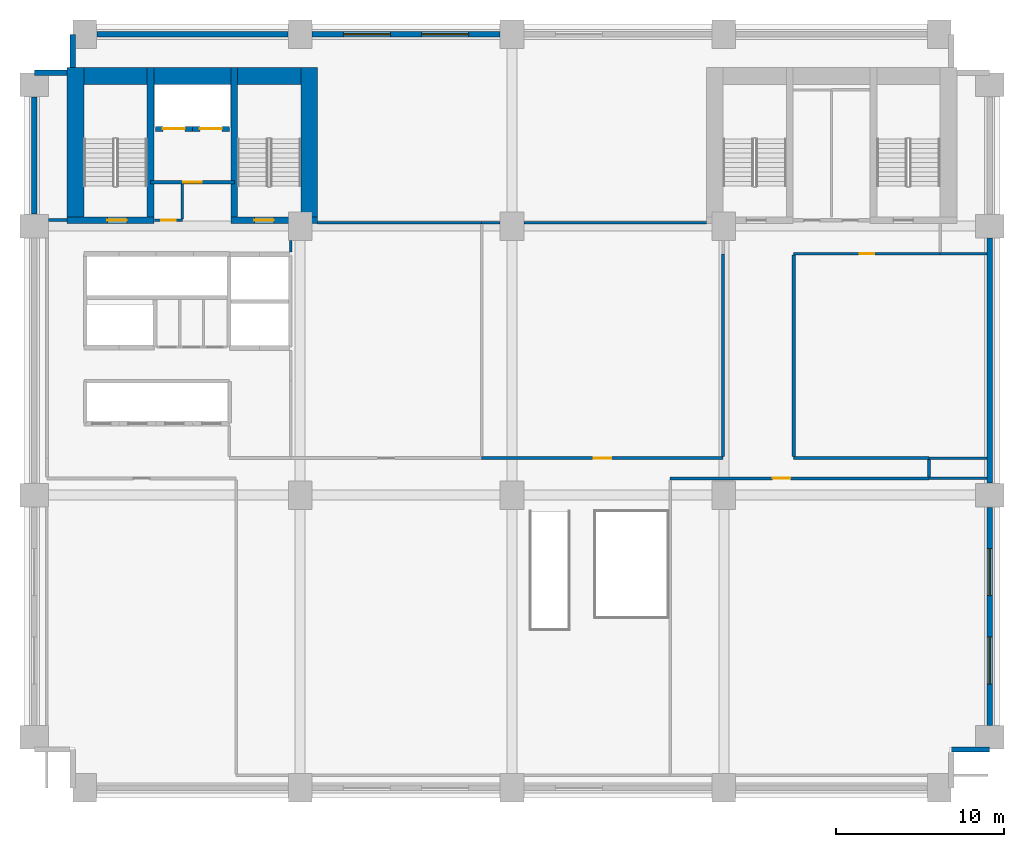
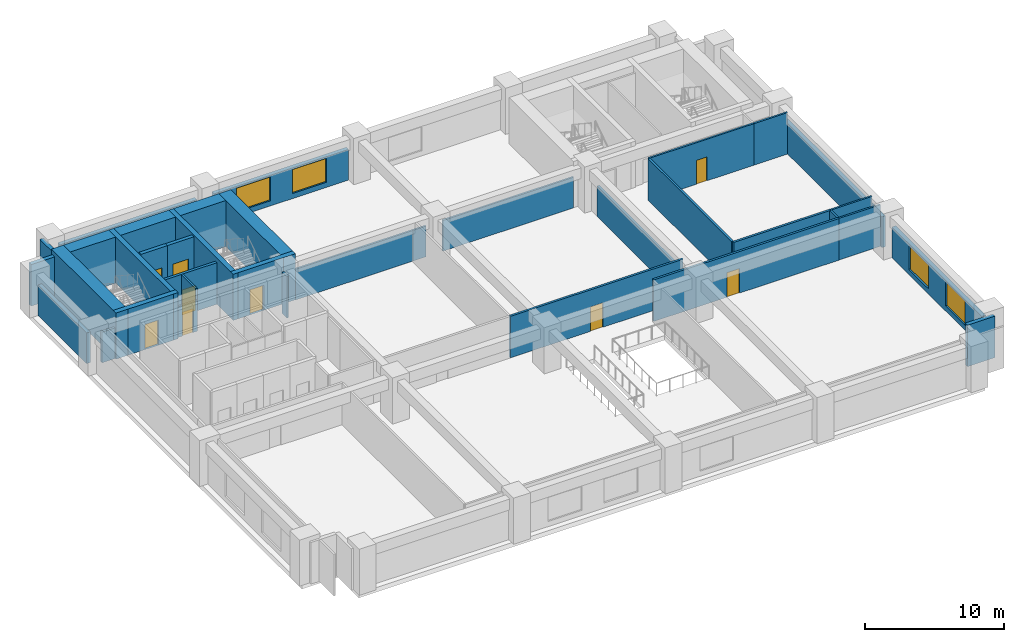
# One storey, part 3 of 7: 35 walls, 9 doors, 4 windows, 13 openings.
"""IFC4 building model written with IfcOpenShell, lengths in metres."""

from ifc_helpers import new_model, si_unit, direction, frame, frame_2d, origin, place, context, subcontext, project, spatial, rectangle, extrude, material, layer, layer_set, type_object, element, fill, save


model = new_model("IFC4")

# Units and contexts
model_context = context("Model", 3, precision=1e-05, world=origin(), true_north=direction((0.0, 1.0)))
body_context = subcontext(model_context, "Body", "Model", "MODEL_VIEW")
ifc_project = project(units=[si_unit("LENGTHUNIT", "METRE"), si_unit("AREAUNIT", "SQUARE_METRE"), si_unit("VOLUMEUNIT", "CUBIC_METRE"), si_unit("PLANEANGLEUNIT", "RADIAN"), si_unit("MASSUNIT", "GRAM", prefix="KILO")], contexts=[model_context])

# Site, building, storey
site_placement = place(None, origin())
site = spatial("IfcSite", under=ifc_project, at=site_placement, CompositionType="ELEMENT")
building_placement = place(site_placement, origin())
building = spatial("IfcBuilding", under=site, at=building_placement, Name="Sulina Concourse Tower", CompositionType="ELEMENT")
storey_placement = place(building_placement, frame((0.0, 0.0, 13.5)))
storey = spatial("IfcBuildingStorey", under=building, at=storey_placement, Name="L03", CompositionType="ELEMENT", Elevation=13.5)

# Wall, opening, door
ifc_material_1 = material(Name="Concrete C50/60", Category="concrete")
ifc_layer_1 = layer(ifc_material_1, 0.300048828125)
ifc_layer_set_1 = layer_set([ifc_layer_1], Name="Concrete C50/60")
wall_type_1 = type_object("IfcWallType", Name="Core Lift Hoistway Wall 300mm", PredefinedType="SOLIDWALL", material=ifc_layer_set_1)
wall_1_placement = place(storey_placement, frame((10.0, 39.780029296875, 0.0), z_axis=(0.0, 0.0, 1.0), x_axis=(-1.0, 0.0, 0.0)))
wall_1 = element("IfcWall", 1, at=wall_1_placement, inside=storey, type_object=wall_type_1, Name="L03 hoistway enclosure wall FFL-1", PredefinedType="SOLIDWALL", context=body_context, shape_type="SweptSolid", body=[
    extrude(rectangle(XDim=2.199951171875, YDim=0.300048828125, at=frame_2d((1.10009765625, 0.0))), origin(), (0.0, 0.0, 1.0), 4.050048828125),
])
opening_1_placement = place(wall_1_placement, frame((0.449951171875, 0.0, 0.0)))
opening_1 = element("IfcOpeningElement", 2, at=opening_1_placement, cuts=wall_1, Name="Opening LD-02", PredefinedType="OPENING", context=body_context, shape_type="SweptSolid", body=[
    extrude(rectangle(XDim=1.300048828125, YDim=2.25, at=frame_2d((0.64990234375, 1.125))), frame((0.0, 0.159912109375, 0.0), z_axis=(0.0, -1.0, 0.0), x_axis=(1.0, 0.0, 0.0)), (0.0, 0.0, 1.0), 0.320068359375),
])
ifc_material_2 = material(Name="Stainless steel lift landing door", Category="steel")
ifc_layer_2 = layer(ifc_material_2, 0.050048828125)
ifc_layer_set_2 = layer_set([ifc_layer_2], Name="Stainless steel lift landing door")
door_type_1 = type_object("IfcDoorType", Name="Firefighting Lift Sliding Landing Door 1300x2250", OperationType="SLIDING_TO_RIGHT", PredefinedType="DOOR", material=ifc_layer_set_2)
door_1_placement = place(opening_1_placement, origin())
door_1 = element("IfcDoor", 3, at=door_1_placement, inside=storey, type_object=door_type_1, Name="L03 lift landing sliding door FFL-1", OperationType="SLIDING_TO_LEFT", OverallHeight=2.25, OverallWidth=1.300048828125, PredefinedType="DOOR", context=body_context, shape_type="SweptSolid", body=[
    extrude(rectangle(XDim=1.300048828125, YDim=2.25, at=frame_2d((0.64990234375, 1.125))), frame((0.0, 0.02490234375, 0.0), z_axis=(0.0, -1.0, 0.0), x_axis=(1.0, 0.0, 0.0)), (0.0, 0.0, 1.0), 0.050048828125),
])
fill(opening_1, door_1)

wall_2_placement = place(storey_placement, frame((12.199951171875, 39.780029296875, 0.0), z_axis=(0.0, 0.0, 1.0), x_axis=(-1.0, 0.0, 0.0)))
wall_2 = element("IfcWall", 4, at=wall_2_placement, inside=storey, type_object=wall_type_1, Name="L03 hoistway enclosure wall FFL-2", PredefinedType="SOLIDWALL", context=body_context, shape_type="SweptSolid", body=[
    extrude(rectangle(XDim=2.199951171875, YDim=0.300048828125, at=frame_2d((1.10009765625, 0.0))), origin(), (0.0, 0.0, 1.0), 4.050048828125),
])
opening_2_placement = place(wall_2_placement, frame((0.449951171875, 0.0, 0.0)))
opening_2 = element("IfcOpeningElement", 5, at=opening_2_placement, cuts=wall_2, Name="Opening LD-02", PredefinedType="OPENING", context=body_context, shape_type="SweptSolid", body=[
    extrude(rectangle(XDim=1.300048828125, YDim=2.25, at=frame_2d((0.64990234375, 1.125))), frame((0.0, 0.159912109375, 0.0), z_axis=(0.0, -1.0, 0.0), x_axis=(1.0, 0.0, 0.0)), (0.0, 0.0, 1.0), 0.320068359375),
])
door_2_placement = place(opening_2_placement, origin())
door_2 = element("IfcDoor", 6, at=door_2_placement, inside=storey, type_object=door_type_1, Name="L03 lift landing sliding door FFL-2", OperationType="SLIDING_TO_RIGHT", OverallHeight=2.25, OverallWidth=1.300048828125, PredefinedType="DOOR", context=body_context, shape_type="SweptSolid", body=[
    extrude(rectangle(XDim=1.300048828125, YDim=2.25, at=frame_2d((0.64990234375, 1.125))), frame((0.0, 0.02490234375, 0.0), z_axis=(0.0, -1.0, 0.0), x_axis=(1.0, 0.0, 0.0)), (0.0, 0.0, 1.0), 0.050048828125),
])
fill(opening_2, door_2)

ifc_material_3 = material(Name="Gypsum board on steel stud", Category="steel")
ifc_layer_3 = layer(ifc_material_3, 0.219970703125)
ifc_layer_set_3 = layer_set([ifc_layer_3], Name="Gypsum board on steel stud")
wall_type_2 = type_object("IfcWallType", Name="Fire-Rated Lobby & Compartment Wall 220mm", PredefinedType="PARTITIONING", material=ifc_layer_set_3)
wall_3_placement = place(storey_placement, frame((7.510009765625, 36.60009765625, 0.0), z_axis=(0.0, 0.0, 1.0), x_axis=(1.0, 0.0, 0.0)))
wall_3 = element("IfcWall", 7, at=wall_3_placement, inside=storey, type_object=wall_type_2, Name="L03 firefighting lobby south fire wall", PredefinedType="PARTITIONING", context=body_context, shape_type="SweptSolid", body=[
    extrude(rectangle(XDim=4.97998046875, YDim=0.219970703125, at=frame_2d((2.489990234375, 0.0))), origin(), (0.0, 0.0, 1.0), 3.64990234375),
])
opening_3_placement = place(wall_3_placement, frame((1.93994140625, 0.0, 0.0)))
opening_3 = element("IfcOpeningElement", 8, at=opening_3_placement, cuts=wall_3, Name="Opening DR-47", PredefinedType="OPENING", context=body_context, shape_type="SweptSolid", body=[
    extrude(rectangle(XDim=1.10009765625, YDim=2.199951171875, at=frame_2d((0.550048828125, 1.10009765625))), frame((0.0, 0.119873046875, 0.0), z_axis=(0.0, -1.0, 0.0), x_axis=(1.0, 0.0, 0.0)), (0.0, 0.0, 1.0), 0.239990234375),
])
ifc_material_4 = material(Name="Galvanised steel acoustic fire leaf", Category="steel")
ifc_layer_4 = layer(ifc_material_4, 0.054931640625)
ifc_layer_set_4 = layer_set([ifc_layer_4], Name="Galvanised steel acoustic fire leaf")
door_type_2 = type_object("IfcDoorType", Name="Firefighting Lobby Fire Door 1100x2200", OperationType="NOTDEFINED", PredefinedType="DOOR", material=ifc_layer_set_4)
door_3_placement = place(opening_3_placement, origin())
door_3 = element("IfcDoor", 9, at=door_3_placement, inside=storey, type_object=door_type_2, Name="L03 firefighting lobby fire door", OperationType="SINGLE_SWING_RIGHT", OverallHeight=2.199951171875, OverallWidth=1.10009765625, PredefinedType="DOOR", context=body_context, shape_type="SweptSolid", body=[
    extrude(rectangle(XDim=1.10009765625, YDim=2.199951171875, at=frame_2d((0.550048828125, 1.10009765625))), frame((0.0, 0.02490234375, 0.0), z_axis=(0.0, -1.0, 0.0), x_axis=(1.0, 0.0, 0.0)), (0.0, 0.0, 1.0), 0.050048828125),
])
fill(opening_3, door_3)

# Walls
ifc_material_5 = material(Name="Gypsum board on steel stud", Category="steel")
ifc_layer_5 = layer(ifc_material_5, 0.14990234375)
ifc_layer_set_5 = layer_set([ifc_layer_5], Name="Gypsum board on steel stud")
wall_type_3 = type_object("IfcWallType", Name="Inter-Tenancy Acoustic Partition 150mm", PredefinedType="PARTITIONING", material=ifc_layer_set_5)
for number, where, z_axis, x_axis, name in (
    (10, (53.800048828125, 19.0, 0.0), (0.0, 0.0, 1.0), (1.0, 0.0, 0.0), "L03 interior partition 009"),
    (11, (53.800048828125, 20.199951171875, 0.0), (0.0, 0.0, 1.0), (1.0, 0.0, 0.0), "L03 interior partition 014"),
):
    element("IfcWall", number, at=place(storey_placement, frame(where, z_axis=z_axis, x_axis=x_axis)), inside=storey, type_object=wall_type_3, Name=name, PredefinedType="PARTITIONING", context=body_context, shape_type="SweptSolid", body=[
        extrude(rectangle(XDim=3.43994140625, YDim=0.14990234375, at=frame_2d((1.719970703125, 0.0))), origin(), (0.0, 0.0, 1.0), 3.64990234375),
    ])

# Wall, opening, door
wall_4_placement = place(storey_placement, frame((45.75, 32.35009765625, 0.0), z_axis=(0.0, 0.0, 1.0), x_axis=(1.0, 0.0, 0.0)))
wall_4 = element("IfcWall", 12, at=wall_4_placement, inside=storey, type_object=wall_type_3, Name="L03 interior partition 018", PredefinedType="PARTITIONING", context=body_context, shape_type="SweptSolid", body=[
    extrude(rectangle(XDim=8.699951171875, YDim=0.14990234375, at=frame_2d((4.35009765625, 0.0))), origin(), (0.0, 0.0, 1.0), 3.64990234375),
])
opening_4_placement = place(wall_4_placement, frame((3.909912109375, 0.0, 0.0)))
opening_4 = element("IfcOpeningElement", 13, at=opening_4_placement, cuts=wall_4, Name="Opening DR-38", PredefinedType="OPENING", context=body_context, shape_type="SweptSolid", body=[
    extrude(rectangle(XDim=0.8798828125, YDim=2.10009765625, at=frame_2d((0.43994140625, 1.050048828125))), frame((0.0, 0.0849609375, 0.0), z_axis=(0.0, -1.0, 0.0), x_axis=(1.0, 0.0, 0.0)), (0.0, 0.0, 1.0), 0.169921875),
])
ifc_material_6 = material(Name="Galvanised steel acoustic fire leaf", Category="steel")
ifc_layer_6 = layer(ifc_material_6, 0.050048828125)
ifc_layer_set_6 = layer_set([ifc_layer_6], Name="Galvanised steel acoustic fire leaf")
door_type_3 = type_object("IfcDoorType", Name="Service Riser Fire Door 880x2100", OperationType="NOTDEFINED", PredefinedType="DOOR", material=ifc_layer_set_6)
door_4_placement = place(opening_4_placement, origin())
door_4 = element("IfcDoor", 14, at=door_4_placement, inside=storey, type_object=door_type_3, Name="L03 interior door L03-STR-ST", OperationType="SINGLE_SWING_RIGHT", OverallHeight=2.10009765625, OverallWidth=0.8798828125, PredefinedType="DOOR", context=body_context, shape_type="SweptSolid", body=[
    extrude(rectangle(XDim=0.8798828125, YDim=2.10009765625, at=frame_2d((0.43994140625, 1.050048828125))), frame((0.0, 0.02490234375, 0.0), z_axis=(0.0, -1.0, 0.0), x_axis=(1.0, 0.0, 0.0)), (0.0, 0.0, 1.0), 0.050048828125),
])
fill(opening_4, door_4)

# Walls
wall_5_placement = place(storey_placement, frame((54.449951171875, 32.35009765625, 0.0), z_axis=(0.0, 0.0, 1.0), x_axis=(1.0, 0.0, 0.0)))
element("IfcWall", 15, at=wall_5_placement, inside=storey, type_object=wall_type_3, Name="L03 interior partition 019", PredefinedType="PARTITIONING", context=body_context, shape_type="SweptSolid", body=[
    extrude(rectangle(XDim=2.7900390625, YDim=0.14990234375, at=frame_2d((1.39501953125, 0.0))), origin(), (0.0, 0.0, 1.0), 3.64990234375),
])
wall_6_placement = place(storey_placement, frame((17.449951171875, 34.199951171875, 0.0), z_axis=(0.0, 0.0, 1.0), x_axis=(1.0, 0.0, 0.0)))
element("IfcWall", 16, at=wall_6_placement, inside=storey, type_object=wall_type_3, Name="L03 interior partition 020", PredefinedType="PARTITIONING", context=body_context, shape_type="SweptSolid", body=[
    extrude(rectangle(XDim=9.75, YDim=0.14990234375, at=frame_2d((4.875, 0.0))), origin(), (0.0, 0.0, 1.0), 2.695068359375),
])
wall_7_placement = place(storey_placement, frame((27.199951171875, 34.199951171875, 0.0), z_axis=(0.0, 0.0, 1.0), x_axis=(1.0, 0.0, 0.0)))
element("IfcWall", 17, at=wall_7_placement, inside=storey, type_object=wall_type_3, Name="L03 interior partition 021", PredefinedType="PARTITIONING", context=body_context, shape_type="SweptSolid", body=[
    extrude(rectangle(XDim=1.10009765625, YDim=0.14990234375, at=frame_2d((0.550048828125, 0.0))), origin(), (0.0, 0.0, 1.0), 2.695068359375),
])
wall_8_placement = place(storey_placement, frame((29.699951171875, 34.199951171875, 0.0), z_axis=(0.0, 0.0, 1.0), x_axis=(1.0, 0.0, 0.0)))
element("IfcWall", 18, at=wall_8_placement, inside=storey, type_object=wall_type_3, Name="L03 interior partition 022", PredefinedType="PARTITIONING", context=body_context, shape_type="SweptSolid", body=[
    extrude(rectangle(XDim=10.85009765625, YDim=0.14990234375, at=frame_2d((5.425048828125, 0.0))), origin(), (0.0, 0.0, 1.0), 2.695068359375),
])

# Wall, opening, door
wall_9_placement = place(storey_placement, frame((7.75, 34.35009765625, 0.0), z_axis=(0.0, 0.0, 1.0), x_axis=(1.0, 0.0, 0.0)))
wall_9 = element("IfcWall", 19, at=wall_9_placement, inside=storey, type_object=wall_type_3, Name="L03 interior partition 024", PredefinedType="PARTITIONING", context=body_context, shape_type="SweptSolid", body=[
    extrude(rectangle(XDim=1.64990234375, YDim=0.14990234375, at=frame_2d((0.824951171875, 0.0))), origin(), (0.0, 0.0, 1.0), 2.695068359375),
])
opening_5_placement = place(wall_9_placement, frame((0.385009765625, 0.0, 0.0)))
opening_5 = element("IfcOpeningElement", 20, at=opening_5_placement, cuts=wall_9, Name="Opening DR-38", PredefinedType="OPENING", context=body_context, shape_type="SweptSolid", body=[
    extrude(rectangle(XDim=0.8798828125, YDim=2.10009765625, at=frame_2d((0.43994140625, 1.050048828125))), frame((0.0, 0.0849609375, 0.0), z_axis=(0.0, -1.0, 0.0), x_axis=(1.0, 0.0, 0.0)), (0.0, 0.0, 1.0), 0.169921875),
])
door_5_placement = place(opening_5_placement, origin())
door_5 = element("IfcDoor", 21, at=door_5_placement, inside=storey, type_object=door_type_3, Name="L03 interior door L03-CLN-N", OperationType="SINGLE_SWING_LEFT", OverallHeight=2.10009765625, OverallWidth=0.8798828125, PredefinedType="DOOR", context=body_context, shape_type="SweptSolid", body=[
    extrude(rectangle(XDim=0.8798828125, YDim=2.10009765625, at=frame_2d((0.43994140625, 1.050048828125))), frame((0.0, 0.02490234375, 0.0), z_axis=(0.0, -1.0, 0.0), x_axis=(1.0, 0.0, 0.0)), (0.0, 0.0, 1.0), 0.050048828125),
])
fill(opening_5, door_5)

# Walls
wall_10_placement = place(storey_placement, frame((9.39990234375, 34.425048828125, 0.0), z_axis=(0.0, 0.0, 1.0), x_axis=(0.0, 1.0, 0.0)))
element("IfcWall", 22, at=wall_10_placement, inside=storey, type_object=wall_type_3, Name="L03 interior partition 032", PredefinedType="PARTITIONING", context=body_context, shape_type="SweptSolid", body=[
    extrude(rectangle(XDim=2.06494140625, YDim=0.14990234375, at=frame_2d((1.032470703125, 0.0))), origin(), (0.0, 0.0, 1.0), 3.64990234375),
])
wall_11_placement = place(storey_placement, frame((15.85009765625, 32.469970703125, 0.0), z_axis=(0.0, 0.0, 1.0), x_axis=(0.0, 1.0, 0.0)))
element("IfcWall", 23, at=wall_11_placement, inside=storey, type_object=wall_type_3, Name="L03 interior partition 038", PredefinedType="PARTITIONING", context=body_context, shape_type="SweptSolid", body=[
    extrude(rectangle(XDim=0.679931640625, YDim=0.14990234375, at=frame_2d((0.33984375, 0.0))), origin(), (0.0, 0.0, 1.0), 3.64990234375),
])
ifc_material_7 = material(Name="Precast concrete C50/60", Category="concrete")
ifc_layer_7 = layer(ifc_material_7, 0.320068359375)
ifc_layer_set_7 = layer_set([ifc_layer_7], Name="Precast concrete C50/60")
wall_type_4 = type_object("IfcWallType", Name="Lower Precast Masonry-Frame Facade Wall 320mm", PredefinedType="SOLIDWALL", material=ifc_layer_set_7)
wall_12_placement = place(storey_placement, frame((0.60009765625, 34.719970703125, 0.0), z_axis=(0.0, 0.0, 1.0), x_axis=(0.0, 1.0, 0.0)))
element("IfcWall", 24, at=wall_12_placement, inside=storey, type_object=wall_type_4, Name="L03 exterior precast wall W3", PredefinedType="SOLIDWALL", context=body_context, shape_type="SweptSolid", body=[
    extrude(rectangle(XDim=6.9599609375, YDim=0.320068359375, at=frame_2d((3.47998046875, 0.0))), origin(), (0.0, 0.0, 1.0), 2.699951171875),
])
wall_13_placement = place(storey_placement, frame((4.320068359375, 45.39990234375, 0.0), z_axis=(0.0, 0.0, 1.0), x_axis=(1.0, 0.0, 0.0)))
element("IfcWall", 25, at=wall_13_placement, inside=storey, type_object=wall_type_4, Name="L03 exterior precast wall N1", PredefinedType="SOLIDWALL", context=body_context, shape_type="SweptSolid", body=[
    extrude(rectangle(XDim=11.35986328125, YDim=0.320068359375, at=frame_2d((5.679931640625, 0.0))), origin(), (0.0, 0.0, 1.0), 2.699951171875),
])

# Wall, openings, windows
wall_14_placement = place(storey_placement, frame((17.1201171875, 45.39990234375, 0.0), z_axis=(0.0, 0.0, 1.0), x_axis=(1.0, 0.0, 0.0)))
wall_14 = element("IfcWall", 26, at=wall_14_placement, inside=storey, type_object=wall_type_4, Name="L03 exterior precast wall N2", PredefinedType="SOLIDWALL", context=body_context, shape_type="SweptSolid", body=[
    extrude(rectangle(XDim=11.159912109375, YDim=0.320068359375, at=frame_2d((5.580078125, 0.0))), origin(), (0.0, 0.0, 1.0), 2.699951171875),
])
opening_6_placement = place(wall_14_placement, frame((1.853271484375, 0.0, 0.449951171875)))
opening_6 = element("IfcOpeningElement", 27, at=opening_6_placement, cuts=wall_14, Name="Opening WN-83", PredefinedType="OPENING", context=body_context, shape_type="SweptSolid", body=[
    extrude(rectangle(XDim=2.800048828125, YDim=2.10009765625, at=frame_2d((1.39990234375, 1.050048828125))), frame((0.0, 0.169921875, 0.0), z_axis=(0.0, -1.0, 0.0), x_axis=(1.0, 0.0, 0.0)), (0.0, 0.0, 1.0), 0.340087890625),
])
opening_7_placement = place(wall_14_placement, frame((6.506591796875, 0.0, 0.449951171875)))
opening_7 = element("IfcOpeningElement", 28, at=opening_7_placement, cuts=wall_14, Name="Opening WN-83", PredefinedType="OPENING", context=body_context, shape_type="SweptSolid", body=[
    extrude(rectangle(XDim=2.800048828125, YDim=2.10009765625, at=frame_2d((1.39990234375, 1.050048828125))), frame((0.0, 0.169921875, 0.0), z_axis=(0.0, -1.0, 0.0), x_axis=(1.0, 0.0, 0.0)), (0.0, 0.0, 1.0), 0.340087890625),
])
ifc_material_8 = material(Name="Low-E solar double glazing in bronze aluminium", Category="aluminium")
window_type = type_object("IfcWindowType", Name="Station Podium Clerestory Window 2800x2100", PartitioningType="TRIPLE_PANEL_VERTICAL", PredefinedType="WINDOW", material=ifc_material_8)
window_1_placement = place(opening_6_placement, origin())
window_1 = element("IfcWindow", 29, at=window_1_placement, inside=storey, type_object=window_type, Name="L03 punched window N2-1", OverallHeight=2.10009765625, OverallWidth=2.800048828125, PartitioningType="SINGLE_PANEL", PredefinedType="WINDOW", context=body_context, shape_type="SweptSolid", body=[
    extrude(rectangle(XDim=2.800048828125, YDim=2.10009765625, at=frame_2d((1.39990234375, 1.050048828125))), frame((0.0, 0.030029296875, 0.0), z_axis=(0.0, -1.0, 0.0), x_axis=(1.0, 0.0, 0.0)), (0.0, 0.0, 1.0), 0.06005859375),
])
fill(opening_6, window_1)
window_2_placement = place(opening_7_placement, origin())
window_2 = element("IfcWindow", 30, at=window_2_placement, inside=storey, type_object=window_type, Name="L03 punched window N2-2", OverallHeight=2.10009765625, OverallWidth=2.800048828125, PartitioningType="SINGLE_PANEL", PredefinedType="WINDOW", context=body_context, shape_type="SweptSolid", body=[
    extrude(rectangle(XDim=2.800048828125, YDim=2.10009765625, at=frame_2d((1.39990234375, 1.050048828125))), frame((0.0, 0.030029296875, 0.0), z_axis=(0.0, -1.0, 0.0), x_axis=(1.0, 0.0, 0.0)), (0.0, 0.0, 1.0), 0.06005859375),
])
fill(opening_7, window_2)

wall_15_placement = place(storey_placement, frame((57.39990234375, 17.280029296875, 0.0), z_axis=(0.0, 0.0, 1.0), x_axis=(0.0, -1.0, 0.0)))
wall_15 = element("IfcWall", 31, at=wall_15_placement, inside=storey, type_object=wall_type_4, Name="L03 exterior precast wall E1", PredefinedType="SOLIDWALL", context=body_context, shape_type="SweptSolid", body=[
    extrude(rectangle(XDim=12.9599609375, YDim=0.320068359375, at=frame_2d((6.47998046875, 0.0))), origin(), (0.0, 0.0, 1.0), 2.699951171875),
])
opening_8_placement = place(wall_15_placement, frame((2.453369140625, 0.0, 0.449951171875)))
opening_8 = element("IfcOpeningElement", 32, at=opening_8_placement, cuts=wall_15, Name="Opening WN-83", PredefinedType="OPENING", context=body_context, shape_type="SweptSolid", body=[
    extrude(rectangle(XDim=2.800048828125, YDim=2.10009765625, at=frame_2d((1.39990234375, 1.050048828125))), frame((0.0, 0.169921875, 0.0), z_axis=(0.0, -1.0, 0.0), x_axis=(1.0, 0.0, 0.0)), (0.0, 0.0, 1.0), 0.340087890625),
])
opening_9_placement = place(wall_15_placement, frame((7.706787109375, 0.0, 0.449951171875)))
opening_9 = element("IfcOpeningElement", 33, at=opening_9_placement, cuts=wall_15, Name="Opening WN-83", PredefinedType="OPENING", context=body_context, shape_type="SweptSolid", body=[
    extrude(rectangle(XDim=2.800048828125, YDim=2.10009765625, at=frame_2d((1.39990234375, 1.050048828125))), frame((0.0, 0.169921875, 0.0), z_axis=(0.0, -1.0, 0.0), x_axis=(1.0, 0.0, 0.0)), (0.0, 0.0, 1.0), 0.340087890625),
])
window_3_placement = place(opening_8_placement, origin())
window_3 = element("IfcWindow", 34, at=window_3_placement, inside=storey, type_object=window_type, Name="L03 punched window E1-1", OverallHeight=2.10009765625, OverallWidth=2.800048828125, PartitioningType="SINGLE_PANEL", PredefinedType="WINDOW", context=body_context, shape_type="SweptSolid", body=[
    extrude(rectangle(XDim=2.800048828125, YDim=2.10009765625, at=frame_2d((1.39990234375, 1.050048828125))), frame((0.0, 0.030029296875, 0.0), z_axis=(0.0, -1.0, 0.0), x_axis=(1.0, 0.0, 0.0)), (0.0, 0.0, 1.0), 0.06005859375),
])
fill(opening_8, window_3)
window_4_placement = place(opening_9_placement, origin())
window_4 = element("IfcWindow", 35, at=window_4_placement, inside=storey, type_object=window_type, Name="L03 punched window E1-2", OverallHeight=2.10009765625, OverallWidth=2.800048828125, PartitioningType="SINGLE_PANEL", PredefinedType="WINDOW", context=body_context, shape_type="SweptSolid", body=[
    extrude(rectangle(XDim=2.800048828125, YDim=2.10009765625, at=frame_2d((1.39990234375, 1.050048828125))), frame((0.0, 0.030029296875, 0.0), z_axis=(0.0, -1.0, 0.0), x_axis=(1.0, 0.0, 0.0)), (0.0, 0.0, 1.0), 0.06005859375),
])
fill(opening_9, window_4)

# Walls
wall_16_placement = place(storey_placement, frame((57.39990234375, 33.280029296875, 0.0), z_axis=(0.0, 0.0, 1.0), x_axis=(0.0, -1.0, 0.0)))
element("IfcWall", 36, at=wall_16_placement, inside=storey, type_object=wall_type_4, Name="L03 exterior precast wall E2", PredefinedType="SOLIDWALL", context=body_context, shape_type="SweptSolid", body=[
    extrude(rectangle(XDim=14.56005859375, YDim=0.320068359375, at=frame_2d((7.280029296875, 0.0))), origin(), (0.0, 0.0, 1.0), 2.699951171875),
])
wall_17_placement = place(storey_placement, frame((0.60009765625, 43.1201171875, 0.0), z_axis=(0.0, 0.0, 1.0), x_axis=(1.0, 0.0, 0.0)))
element("IfcWall", 37, at=wall_17_placement, inside=storey, type_object=wall_type_4, Name="L03 exterior precast wall CNW1", PredefinedType="SOLIDWALL", context=body_context, shape_type="SweptSolid", body=[
    extrude(rectangle(XDim=1.94482421875, YDim=0.320068359375, at=frame_2d((0.972412109375, 0.0))), origin(), (0.0, 0.0, 1.0), 3.64990234375),
])
wall_18_placement = place(storey_placement, frame((2.8798828125, 43.43505859375, 0.0), z_axis=(0.0, 0.0, 1.0), x_axis=(0.0, 1.0, 0.0)))
element("IfcWall", 38, at=wall_18_placement, inside=storey, type_object=wall_type_4, Name="L03 exterior precast wall CNW2", PredefinedType="SOLIDWALL", context=body_context, shape_type="SweptSolid", body=[
    extrude(rectangle(XDim=1.96484375, YDim=0.320068359375, at=frame_2d((0.982421875, 0.0))), origin(), (0.0, 0.0, 1.0), 3.64990234375),
])
wall_19_placement = place(storey_placement, frame((57.39990234375, 2.8798828125, 0.0), z_axis=(0.0, 0.0, 1.0), x_axis=(-1.0, 0.0, 0.0)))
element("IfcWall", 39, at=wall_19_placement, inside=storey, type_object=wall_type_4, Name="L03 exterior precast wall CSE1", PredefinedType="SOLIDWALL", context=body_context, shape_type="SweptSolid", body=[
    extrude(rectangle(XDim=2.27978515625, YDim=0.320068359375, at=frame_2d((1.139892578125, 0.0))), origin(), (0.0, 0.0, 1.0), 3.64990234375),
])

# Wall, opening, door
ifc_material_9 = material(Name="Gypsum board on steel stud", Category="steel")
ifc_layer_8 = layer(ifc_material_9, 0.179931640625)
ifc_layer_set_8 = layer_set([ifc_layer_8], Name="Gypsum board on steel stud")
wall_type_5 = type_object("IfcWallType", Name="Protected Corridor & Riser Partition 180mm", PredefinedType="PARTITIONING", material=ifc_layer_set_8)
wall_20_placement = place(storey_placement, frame((38.39990234375, 19.0, 0.0), z_axis=(0.0, 0.0, 1.0), x_axis=(1.0, 0.0, 0.0)))
wall_20 = element("IfcWall", 40, at=wall_20_placement, inside=storey, type_object=wall_type_5, Name="L03 interior partition 008", PredefinedType="PARTITIONING", context=body_context, shape_type="SweptSolid", body=[
    extrude(rectangle(XDim=15.400146484375, YDim=0.179931640625, at=frame_2d((7.7001953125, 0.0))), origin(), (0.0, 0.0, 1.0), 3.64990234375),
])
opening_10_placement = place(wall_20_placement, frame((6.094970703125, 0.0, 0.0)))
opening_10 = element("IfcOpeningElement", 41, at=opening_10_placement, cuts=wall_20, Name="Opening DR-37", PredefinedType="OPENING", context=body_context, shape_type="SweptSolid", body=[
    extrude(rectangle(XDim=1.050048828125, YDim=2.14990234375, at=frame_2d((0.52490234375, 1.074951171875))), frame((0.0, 0.099853515625, 0.0), z_axis=(0.0, -1.0, 0.0), x_axis=(1.0, 0.0, 0.0)), (0.0, 0.0, 1.0), 0.199951171875),
])
ifc_material_10 = material(Name="Oak-veneered fire door leaf")
ifc_layer_9 = layer(ifc_material_10, 0.050048828125)
ifc_layer_set_9 = layer_set([ifc_layer_9], Name="Oak-veneered fire door leaf")
door_type_4 = type_object("IfcDoorType", Name="Tenant Suite Entrance Fire Door 1050x2150", OperationType="NOTDEFINED", PredefinedType="DOOR", material=ifc_layer_set_9)
door_6_placement = place(opening_10_placement, origin())
door_6 = element("IfcDoor", 42, at=door_6_placement, inside=storey, type_object=door_type_4, Name="L03 interior door L03-DIN-E1", OperationType="SINGLE_SWING_LEFT", OverallHeight=2.14990234375, OverallWidth=1.050048828125, PredefinedType="DOOR", context=body_context, shape_type="SweptSolid", body=[
    extrude(rectangle(XDim=1.050048828125, YDim=2.14990234375, at=frame_2d((0.52490234375, 1.074951171875))), frame((0.0, 0.02490234375, 0.0), z_axis=(0.0, -1.0, 0.0), x_axis=(1.0, 0.0, 0.0)), (0.0, 0.0, 1.0), 0.050048828125),
])
fill(opening_10, door_6)

wall_21_placement = place(storey_placement, frame((27.199951171875, 20.199951171875, 0.0), z_axis=(0.0, 0.0, 1.0), x_axis=(1.0, 0.0, 0.0)))
wall_21 = element("IfcWall", 43, at=wall_21_placement, inside=storey, type_object=wall_type_5, Name="L03 interior partition 012", PredefinedType="PARTITIONING", context=body_context, shape_type="SweptSolid", body=[
    extrude(rectangle(XDim=14.35009765625, YDim=0.179931640625, at=frame_2d((7.175048828125, 0.0))), origin(), (0.0, 0.0, 1.0), 3.64990234375),
])
opening_11_placement = place(wall_21_placement, frame((6.64990234375, 0.0, 0.0)))
opening_11 = element("IfcOpeningElement", 44, at=opening_11_placement, cuts=wall_21, Name="Opening DR-37", PredefinedType="OPENING", context=body_context, shape_type="SweptSolid", body=[
    extrude(rectangle(XDim=1.050048828125, YDim=2.14990234375, at=frame_2d((0.52490234375, 1.074951171875))), frame((0.0, 0.099853515625, 0.0), z_axis=(0.0, -1.0, 0.0), x_axis=(1.0, 0.0, 0.0)), (0.0, 0.0, 1.0), 0.199951171875),
])
door_7_placement = place(opening_11_placement, origin())
door_7 = element("IfcDoor", 45, at=door_7_placement, inside=storey, type_object=door_type_4, Name="L03 interior door L03-MTG-ST2", OperationType="SINGLE_SWING_LEFT", OverallHeight=2.14990234375, OverallWidth=1.050048828125, PredefinedType="DOOR", context=body_context, shape_type="SweptSolid", body=[
    extrude(rectangle(XDim=1.050048828125, YDim=2.14990234375, at=frame_2d((0.52490234375, 1.074951171875))), frame((0.0, 0.02490234375, 0.0), z_axis=(0.0, -1.0, 0.0), x_axis=(1.0, 0.0, 0.0)), (0.0, 0.0, 1.0), 0.050048828125),
])
fill(opening_11, door_7)

# Walls
wall_22_placement = place(storey_placement, frame((45.75, 20.199951171875, 0.0), z_axis=(0.0, 0.0, 1.0), x_axis=(1.0, 0.0, 0.0)))
element("IfcWall", 46, at=wall_22_placement, inside=storey, type_object=wall_type_5, Name="L03 interior partition 013", PredefinedType="PARTITIONING", context=body_context, shape_type="SweptSolid", body=[
    extrude(rectangle(XDim=8.050048828125, YDim=0.179931640625, at=frame_2d((4.02490234375, 0.0))), origin(), (0.0, 0.0, 1.0), 3.64990234375),
])
wall_23_placement = place(storey_placement, frame((1.449951171875, 34.35009765625, 0.0), z_axis=(0.0, 0.0, 1.0), x_axis=(1.0, 0.0, 0.0)))
element("IfcWall", 47, at=wall_23_placement, inside=storey, type_object=wall_type_5, Name="L03 interior partition 023", PredefinedType="PARTITIONING", context=body_context, shape_type="SweptSolid", body=[
    extrude(rectangle(XDim=1.10009765625, YDim=0.179931640625, at=frame_2d((0.550048828125, 0.0))), origin(), (0.0, 0.0, 1.0), 2.695068359375),
])
wall_24_placement = place(storey_placement, frame((41.550048828125, 20.2900390625, 0.0), z_axis=(0.0, 0.0, 1.0), x_axis=(0.0, 1.0, 0.0)))
element("IfcWall", 48, at=wall_24_placement, inside=storey, type_object=wall_type_5, Name="L03 interior partition 041", PredefinedType="PARTITIONING", context=body_context, shape_type="SweptSolid", body=[
    extrude(rectangle(XDim=12.06005859375, YDim=0.179931640625, at=frame_2d((6.030029296875, 0.0))), origin(), (0.0, 0.0, 1.0), 2.695068359375),
])
wall_25_placement = place(storey_placement, frame((45.75, 20.2900390625, 0.0), z_axis=(0.0, 0.0, 1.0), x_axis=(0.0, 1.0, 0.0)))
element("IfcWall", 49, at=wall_25_placement, inside=storey, type_object=wall_type_5, Name="L03 interior partition 043", PredefinedType="PARTITIONING", context=body_context, shape_type="SweptSolid", body=[
    extrude(rectangle(XDim=11.98486328125, YDim=0.179931640625, at=frame_2d((5.992431640625, 0.0))), origin(), (0.0, 0.0, 1.0), 3.64990234375),
])
wall_26_placement = place(storey_placement, frame((53.800048828125, 19.090087890625, 0.0), z_axis=(0.0, 0.0, 1.0), x_axis=(0.0, 1.0, 0.0)))
element("IfcWall", 50, at=wall_26_placement, inside=storey, type_object=wall_type_5, Name="L03 interior partition 045", PredefinedType="PARTITIONING", context=body_context, shape_type="SweptSolid", body=[
    extrude(rectangle(XDim=1.02001953125, YDim=0.179931640625, at=frame_2d((0.510009765625, 0.0))), origin(), (0.0, 0.0, 1.0), 3.64990234375),
])

# Wall, opening, door
ifc_material_11 = material(Name="Concrete C60/75", Category="concrete")
ifc_layer_10 = layer(ifc_material_11, 0.39990234375)
ifc_layer_set_10 = layer_set([ifc_layer_10], Name="Concrete C60/75")
wall_type_6 = type_object("IfcWallType", Name="Protected Stair Core Shear Wall 400mm", PredefinedType="SHEAR", material=ifc_layer_set_10)
wall_27_placement = place(storey_placement, frame((2.550048828125, 34.35009765625, 0.0), z_axis=(0.0, 0.0, 1.0), x_axis=(1.0, 0.0, 0.0)))
wall_27 = element("IfcWall", 51, at=wall_27_placement, inside=storey, type_object=wall_type_6, Name="L03 west core shear wall CW-WS1", PredefinedType="SHEAR", context=body_context, shape_type="SweptSolid", body=[
    extrude(rectangle(XDim=5.159912109375, YDim=0.39990234375, at=frame_2d((2.580078125, 0.0))), origin(), (0.0, 0.0, 1.0), 4.050048828125),
])
opening_12_placement = place(wall_27_placement, frame((2.39990234375, 0.0, 0.0)))
opening_12 = element("IfcOpeningElement", 52, at=opening_12_placement, cuts=wall_27, Name="Opening DR-60", PredefinedType="OPENING", context=body_context, shape_type="SweptSolid", body=[
    extrude(rectangle(XDim=1.14990234375, YDim=2.199951171875, at=frame_2d((0.574951171875, 1.10009765625))), frame((0.0, 0.2099609375, 0.0), z_axis=(0.0, -1.0, 0.0), x_axis=(1.0, 0.0, 0.0)), (0.0, 0.0, 1.0), 0.419921875),
])
ifc_material_12 = material(Name="Galvanised steel acoustic fire leaf", Category="steel")
ifc_layer_11 = layer(ifc_material_12, 0.054931640625)
ifc_layer_set_11 = layer_set([ifc_layer_11], Name="Galvanised steel acoustic fire leaf")
door_type_5 = type_object("IfcDoorType", Name="Protected Exit Stair Fire Door 1150x2200", OperationType="NOTDEFINED", PredefinedType="DOOR", material=ifc_layer_set_11)
door_8_placement = place(opening_12_placement, origin())
door_8 = element("IfcDoor", 53, at=door_8_placement, inside=storey, type_object=door_type_5, Name="L03 stair ST-1 lobby fire door", OperationType="SINGLE_SWING_RIGHT", OverallHeight=2.199951171875, OverallWidth=1.14990234375, PredefinedType="DOOR", context=body_context, shape_type="SweptSolid", body=[
    extrude(rectangle(XDim=1.14990234375, YDim=2.199951171875, at=frame_2d((0.574951171875, 1.10009765625))), frame((0.0, 0.02490234375, 0.0), z_axis=(0.0, -1.0, 0.0), x_axis=(1.0, 0.0, 0.0)), (0.0, 0.0, 1.0), 0.050048828125),
])
fill(opening_12, door_8)

wall_28_placement = place(storey_placement, frame((12.2900390625, 34.35009765625, 0.0), z_axis=(0.0, 0.0, 1.0), x_axis=(1.0, 0.0, 0.0)))
wall_28 = element("IfcWall", 54, at=wall_28_placement, inside=storey, type_object=wall_type_6, Name="L03 west core shear wall CW-WS2", PredefinedType="SHEAR", context=body_context, shape_type="SweptSolid", body=[
    extrude(rectangle(XDim=5.159912109375, YDim=0.39990234375, at=frame_2d((2.580078125, 0.0))), origin(), (0.0, 0.0, 1.0), 4.050048828125),
])
opening_13_placement = place(wall_28_placement, frame((1.39990234375, 0.0, 0.0)))
opening_13 = element("IfcOpeningElement", 55, at=opening_13_placement, cuts=wall_28, Name="Opening DR-60", PredefinedType="OPENING", context=body_context, shape_type="SweptSolid", body=[
    extrude(rectangle(XDim=1.14990234375, YDim=2.199951171875, at=frame_2d((0.574951171875, 1.10009765625))), frame((0.0, 0.2099609375, 0.0), z_axis=(0.0, -1.0, 0.0), x_axis=(1.0, 0.0, 0.0)), (0.0, 0.0, 1.0), 0.419921875),
])
door_9_placement = place(opening_13_placement, origin())
door_9 = element("IfcDoor", 56, at=door_9_placement, inside=storey, type_object=door_type_5, Name="L03 stair ST-2 lobby fire door", OperationType="SINGLE_SWING_LEFT", OverallHeight=2.199951171875, OverallWidth=1.14990234375, PredefinedType="DOOR", context=body_context, shape_type="SweptSolid", body=[
    extrude(rectangle(XDim=1.14990234375, YDim=2.199951171875, at=frame_2d((0.574951171875, 1.10009765625))), frame((0.0, 0.02490234375, 0.0), z_axis=(0.0, -1.0, 0.0), x_axis=(1.0, 0.0, 0.0)), (0.0, 0.0, 1.0), 0.050048828125),
])
fill(opening_13, door_9)

# Walls
for number, where, z_axis, x_axis, name in (
    (57, (7.510009765625, 34.14990234375, 0.0), (0.0, 0.0, 1.0), (0.0, 1.0, 0.0), "L03 west core shear wall SW-ST1"),
    (58, (12.489990234375, 34.14990234375, 0.0), (0.0, 0.0, 1.0), (0.0, 1.0, 0.0), "L03 west core shear wall SW-ST2"),
):
    element("IfcWall", number, at=place(storey_placement, frame(where, z_axis=z_axis, x_axis=x_axis)), inside=storey, type_object=wall_type_6, Name=name, PredefinedType="SHEAR", context=body_context, shape_type="SweptSolid", body=[
        extrude(rectangle(XDim=9.280029296875, YDim=0.39990234375, at=frame_2d((4.64013671875, 0.0))), origin(), (0.0, 0.0, 1.0), 4.050048828125),
    ])
ifc_material_13 = material(Name="Concrete C80/95", Category="concrete")
ifc_layer_12 = layer(ifc_material_13, 1.0)
ifc_layer_set_12 = layer_set([ifc_layer_12], Name="Concrete C80/95")
wall_type_7 = type_object("IfcWallType", Name="Rear Core Shear Wall 1000mm", PredefinedType="SHEAR", material=ifc_layer_set_12)
wall_29_placement = place(storey_placement, frame((2.550048828125, 42.929931640625, 0.0), z_axis=(0.0, 0.0, 1.0), x_axis=(1.0, 0.0, 0.0)))
element("IfcWall", 59, at=wall_29_placement, inside=storey, type_object=wall_type_7, Name="L03 west core shear wall CW-WN", PredefinedType="SHEAR", context=body_context, shape_type="SweptSolid", body=[
    extrude(rectangle(XDim=14.89990234375, YDim=1.0, at=frame_2d((7.449951171875, 0.0))), origin(), (0.0, 0.0, 1.0), 4.050048828125),
])
for number, where, z_axis, x_axis, name in (
    (60, (3.050048828125, 34.14990234375, 0.0), (0.0, 0.0, 1.0), (0.0, 1.0, 0.0), "L03 west core shear wall CW-WW"),
    (61, (16.949951171875, 34.14990234375, 0.0), (0.0, 0.0, 1.0), (0.0, 1.0, 0.0), "L03 west core shear wall CW-WE"),
):
    element("IfcWall", number, at=place(storey_placement, frame(where, z_axis=z_axis, x_axis=x_axis)), inside=storey, type_object=wall_type_7, Name=name, PredefinedType="SHEAR", context=body_context, shape_type="SweptSolid", body=[
        extrude(rectangle(XDim=9.280029296875, YDim=1.0, at=frame_2d((4.64013671875, 0.0))), origin(), (0.0, 0.0, 1.0), 4.050048828125),
    ])

save(model, "model.ifc")
